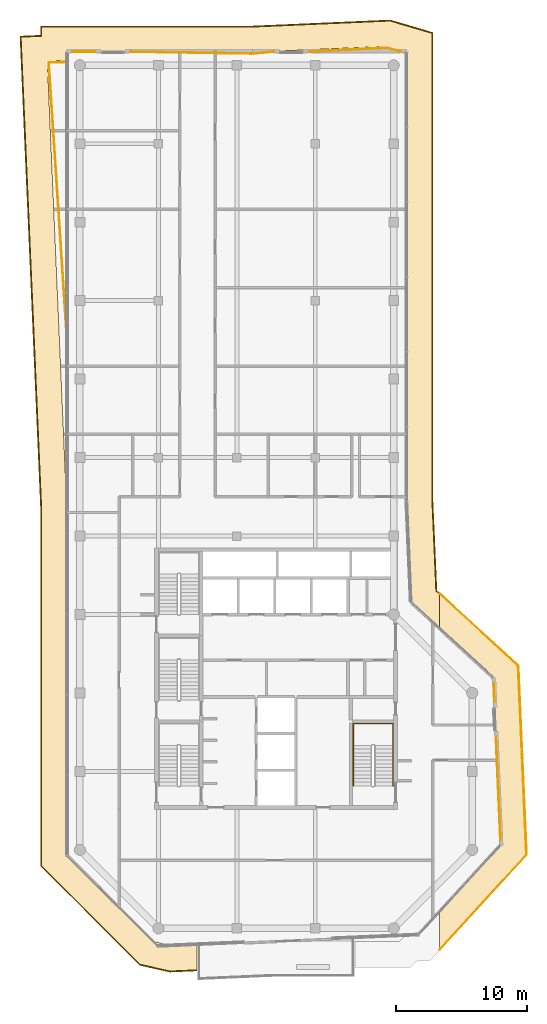
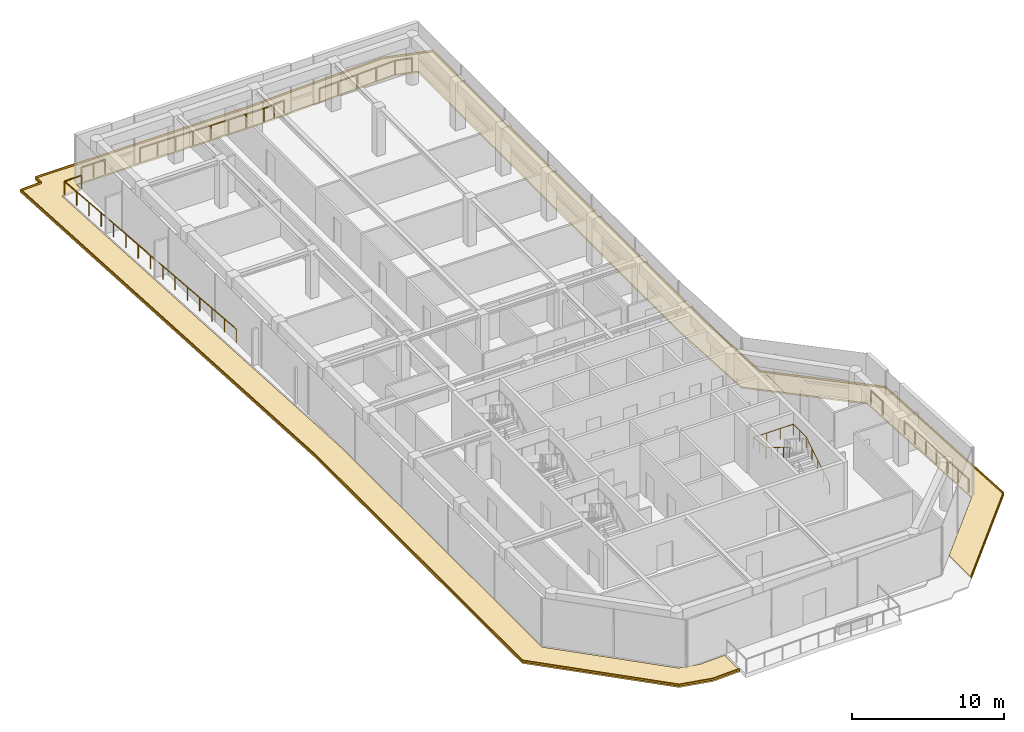
# One storey, part 20 of 20: 7 railings, 4 coverings.
"""IFC4 building model written with IfcOpenShell, lengths in metres."""

from ifc_helpers import new_model, si_unit, direction, frame, origin, origin_2d, place, context, subcontext, project, spatial, polyline, circle, outline, extrude, material, layer, layer_set, type_object, element, save


model = new_model("IFC4")

# Units and contexts
model_context = context("Model", 3, precision=1e-05, world=origin(), true_north=direction((0.0, 1.0)))
body_context = subcontext(model_context, "Body", "Model", "MODEL_VIEW")
ifc_project = project(units=[si_unit("LENGTHUNIT", "METRE"), si_unit("AREAUNIT", "SQUARE_METRE"), si_unit("VOLUMEUNIT", "CUBIC_METRE"), si_unit("PLANEANGLEUNIT", "RADIAN"), si_unit("MASSUNIT", "GRAM", prefix="KILO")], contexts=[model_context])

# Site, building, storey
site_placement = place(None, origin())
site = spatial("IfcSite", under=ifc_project, at=site_placement, CompositionType="ELEMENT")
building_placement = place(site_placement, origin())
building = spatial("IfcBuilding", under=site, at=building_placement, Name="Welwitschia Terrace Campus", CompositionType="ELEMENT")
storey_placement = place(building_placement, frame((0.0, 0.0, 297.800048828125)))
storey = spatial("IfcBuildingStorey", under=building, at=storey_placement, Name="L66", CompositionType="ELEMENT", Elevation=297.800048828125)

# Railings
ifc_material_1 = material(Name="Stainless steel grade 316", Category="steel")
railing_type_1 = type_object("IfcRailingType", Name="Guard 1100", PredefinedType="GUARDRAIL", material=ifc_material_1)
railing_1_placement = place(storey_placement, frame((-1.030029296875, 41.806396484375, 0.0)))
element("IfcRailing", 1, at=railing_1_placement, inside=storey, type_object=railing_type_1, Name="Guard floor edge L66.0", PredefinedType="GUARDRAIL", context=body_context, shape_type="SweptSolid", body=[
    extrude(circle(Radius=0.02392578125, at=origin_2d()), frame((0.0, 0.0, 1.076171875), z_axis=(-0.065584171401, 0.997847040614, 0.0), x_axis=(-0.997847040614, -0.065584171401, 0.0)), (0.0, 0.0, 1.0), 20.436767578125),
    extrude(circle(Radius=0.02392578125, at=origin_2d()), frame((-1.34033203125, 20.392822265625, 1.076171875), z_axis=(0.999575586947, 0.029131528946, 0.0), x_axis=(-0.029131528946, 0.999575586947, 0.0)), (0.0, 0.0, 1.0), 1.3408203125),
    extrude(circle(Radius=0.02099609375, at=origin_2d()), origin(), (0.0, 0.0, 1.0), 1.052001953125),
    extrude(circle(Radius=0.02099609375, at=origin_2d()), frame((-0.095703125, 1.45654296875, 0.0)), (0.0, 0.0, 1.0), 1.052001953125),
    extrude(circle(Radius=0.02099609375, at=origin_2d()), frame((-0.19140625, 2.913330078125, 0.0)), (0.0, 0.0, 1.0), 1.052001953125),
    extrude(circle(Radius=0.02099609375, at=origin_2d()), frame((-0.287109375, 4.369873046875, 0.0)), (0.0, 0.0, 1.0), 1.052001953125),
    extrude(circle(Radius=0.02099609375, at=origin_2d()), frame((-0.383056640625, 5.826416015625, 0.0)), (0.0, 0.0, 1.0), 1.052001953125),
    extrude(circle(Radius=0.02099609375, at=origin_2d()), frame((-0.478759765625, 7.283203125, 0.0)), (0.0, 0.0, 1.0), 1.052001953125),
    extrude(circle(Radius=0.02099609375, at=origin_2d()), frame((-0.574462890625, 8.73974609375, 0.0)), (0.0, 0.0, 1.0), 1.052001953125),
    extrude(circle(Radius=0.02099609375, at=origin_2d()), frame((-0.670166015625, 10.1962890625, 0.0)), (0.0, 0.0, 1.0), 1.052001953125),
    extrude(circle(Radius=0.02099609375, at=origin_2d()), frame((-0.765869140625, 11.653076171875, 0.0)), (0.0, 0.0, 1.0), 1.052001953125),
    extrude(circle(Radius=0.02099609375, at=origin_2d()), frame((-0.861572265625, 13.109619140625, 0.0)), (0.0, 0.0, 1.0), 1.052001953125),
    extrude(circle(Radius=0.02099609375, at=origin_2d()), frame((-0.957275390625, 14.56640625, 0.0)), (0.0, 0.0, 1.0), 1.052001953125),
    extrude(circle(Radius=0.02099609375, at=origin_2d()), frame((-1.05322265625, 16.02294921875, 0.0)), (0.0, 0.0, 1.0), 1.052001953125),
    extrude(circle(Radius=0.02099609375, at=origin_2d()), frame((-1.14892578125, 17.4794921875, 0.0)), (0.0, 0.0, 1.0), 1.052001953125),
    extrude(circle(Radius=0.02099609375, at=origin_2d()), frame((-1.24462890625, 18.936279296875, 0.0)), (0.0, 0.0, 1.0), 1.052001953125),
    extrude(circle(Radius=0.02099609375, at=origin_2d()), frame((-1.34033203125, 20.392822265625, 0.0)), (0.0, 0.0, 1.0), 1.052001953125),
    extrude(circle(Radius=0.02099609375, at=origin_2d()), frame((0.0, 20.431884765625, 0.0)), (0.0, 0.0, 1.0), 1.052001953125),
])
railing_2_placement = place(storey_placement, frame((-0.580078125, 63.030029296875, 0.0)))
element("IfcRailing", 2, at=railing_2_placement, inside=storey, type_object=railing_type_1, Name="Guard floor edge L66.1", PredefinedType="GUARDRAIL", context=body_context, shape_type="SweptSolid", body=[
    extrude(circle(Radius=0.02392578125, at=origin_2d()), frame((0.0, 0.0, 1.076171875), z_axis=(1.0, 0.0, 0.0), x_axis=(0.0, 1.0, 0.0)), (0.0, 0.0, 1.0), 1.7880859375),
    extrude(circle(Radius=0.02099609375, at=origin_2d()), origin(), (0.0, 0.0, 1.0), 1.052001953125),
    extrude(circle(Radius=0.02099609375, at=origin_2d()), frame((0.89404296875, 0.0, 0.0)), (0.0, 0.0, 1.0), 1.052001953125),
    extrude(circle(Radius=0.02099609375, at=origin_2d()), frame((1.7880859375, 0.0, 0.0)), (0.0, 0.0, 1.0), 1.052001953125),
])
railing_3_placement = place(storey_placement, frame((3.85546875, 63.030029296875, 0.0)))
element("IfcRailing", 3, at=railing_3_placement, inside=storey, type_object=railing_type_1, Name="Guard floor edge L66.2", PredefinedType="GUARDRAIL", context=body_context, shape_type="SweptSolid", body=[
    extrude(circle(Radius=0.02392578125, at=origin_2d()), frame((0.0, 0.0, 1.076171875), z_axis=(0.999871500344, -0.016030683092, 0.0), x_axis=(0.016030683092, 0.999871500344, 0.0)), (0.0, 0.0, 1.0), 9.3662109375),
    extrude(circle(Radius=0.02392578125, at=origin_2d()), frame((9.364990234375, -0.150146484375, 1.076171875), z_axis=(0.995720334942, 0.092417609699, 0.0), x_axis=(-0.092417609699, 0.995720334942, 0.0)), (0.0, 0.0, 1.0), 1.614013671875),
    extrude(circle(Radius=0.02099609375, at=origin_2d()), origin(), (0.0, 0.0, 1.0), 1.052001953125),
    extrude(circle(Radius=0.02099609375, at=origin_2d()), frame((1.337890625, -0.021484375, 0.0)), (0.0, 0.0, 1.0), 1.052001953125),
    extrude(circle(Radius=0.02099609375, at=origin_2d()), frame((2.67578125, -0.04296875, 0.0)), (0.0, 0.0, 1.0), 1.052001953125),
    extrude(circle(Radius=0.02099609375, at=origin_2d()), frame((4.013671875, -0.064453125, 0.0)), (0.0, 0.0, 1.0), 1.052001953125),
    extrude(circle(Radius=0.02099609375, at=origin_2d()), frame((5.351318359375, -0.085693359375, 0.0)), (0.0, 0.0, 1.0), 1.052001953125),
    extrude(circle(Radius=0.02099609375, at=origin_2d()), frame((6.689208984375, -0.107177734375, 0.0)), (0.0, 0.0, 1.0), 1.052001953125),
    extrude(circle(Radius=0.02099609375, at=origin_2d()), frame((8.027099609375, -0.128662109375, 0.0)), (0.0, 0.0, 1.0), 1.052001953125),
    extrude(circle(Radius=0.02099609375, at=origin_2d()), frame((9.364990234375, -0.150146484375, 0.0)), (0.0, 0.0, 1.0), 1.052001953125),
    extrude(circle(Radius=0.02099609375, at=origin_2d()), frame((10.16845703125, -0.07568359375, 0.0)), (0.0, 0.0, 1.0), 1.052001953125),
    extrude(circle(Radius=0.02099609375, at=origin_2d()), frame((10.97216796875, -0.0009765625, 0.0)), (0.0, 0.0, 1.0), 1.052001953125),
])
railing_4_placement = place(storey_placement, frame((17.518310546875, 63.027099609375, 0.0)))
element("IfcRailing", 4, at=railing_4_placement, inside=storey, type_object=railing_type_1, Name="Guard floor edge L66.3", PredefinedType="GUARDRAIL", context=body_context, shape_type="SweptSolid", body=[
    extrude(circle(Radius=0.02392578125, at=origin_2d()), frame((0.0, 0.0, 1.076171875), z_axis=(0.9987274719, 0.050432498171, 0.0), x_axis=(-0.050432498171, 0.9987274719, 0.0)), (0.0, 0.0, 1.0), 5.954345703125),
    extrude(circle(Radius=0.02392578125, at=origin_2d()), frame((5.94677734375, 0.30029296875, 1.076171875), z_axis=(0.964632095565, -0.263599924516, 0.0), x_axis=(0.263599924516, 0.964632095565, 0.0)), (0.0, 0.0, 1.0), 1.15576171875),
    extrude(circle(Radius=0.02099609375, at=origin_2d()), origin(), (0.0, 0.0, 1.0), 1.052001953125),
    extrude(circle(Radius=0.02099609375, at=origin_2d()), frame((1.48681640625, 0.0751953125, 0.0)), (0.0, 0.0, 1.0), 1.052001953125),
    extrude(circle(Radius=0.02099609375, at=origin_2d()), frame((2.973388671875, 0.150146484375, 0.0)), (0.0, 0.0, 1.0), 1.052001953125),
    extrude(circle(Radius=0.02099609375, at=origin_2d()), frame((4.4599609375, 0.22509765625, 0.0)), (0.0, 0.0, 1.0), 1.052001953125),
    extrude(circle(Radius=0.02099609375, at=origin_2d()), frame((5.94677734375, 0.30029296875, 0.0)), (0.0, 0.0, 1.0), 1.052001953125),
    extrude(circle(Radius=0.02099609375, at=origin_2d()), frame((7.061767578125, -0.00439453125, 0.0)), (0.0, 0.0, 1.0), 1.052001953125),
])
railing_5_placement = place(storey_placement, frame((31.64111328125, 14.760498046875, 0.0)))
element("IfcRailing", 5, at=railing_5_placement, inside=storey, type_object=railing_type_1, Name="Guard floor edge L66.4", PredefinedType="GUARDRAIL", context=body_context, shape_type="SweptSolid", body=[
    extrude(circle(Radius=0.02392578125, at=origin_2d()), frame((0.0, 0.0, 1.076171875), z_axis=(0.043639613643, -0.999047338278, 0.0), x_axis=(0.999047338278, 0.043639613643, 0.0)), (0.0, 0.0, 1.0), 1.4658203125),
    extrude(circle(Radius=0.02099609375, at=origin_2d()), origin(), (0.0, 0.0, 1.0), 1.052001953125),
    extrude(circle(Radius=0.02099609375, at=origin_2d()), frame((0.06396484375, -1.46435546875, 0.0)), (0.0, 0.0, 1.0), 1.052001953125),
])
railing_6_placement = place(storey_placement, frame((31.82080078125, 10.651123046875, 0.0)))
element("IfcRailing", 6, at=railing_6_placement, inside=storey, type_object=railing_type_1, Name="Guard floor edge L66.5", PredefinedType="GUARDRAIL", context=body_context, shape_type="SweptSolid", body=[
    extrude(circle(Radius=0.02392578125, at=origin_2d()), frame((0.0, 0.0, 1.076171875), z_axis=(0.043584886083, -0.999049727343, 0.0), x_axis=(0.999049727343, 0.043584886083, 0.0)), (0.0, 0.0, 1.0), 7.892578125),
    extrude(circle(Radius=0.02099609375, at=origin_2d()), origin(), (0.0, 0.0, 1.0), 1.052001953125),
    extrude(circle(Radius=0.02099609375, at=origin_2d()), frame((0.057373046875, -1.314208984375, 0.0)), (0.0, 0.0, 1.0), 1.052001953125),
    extrude(circle(Radius=0.02099609375, at=origin_2d()), frame((0.11474609375, -2.62841796875, 0.0)), (0.0, 0.0, 1.0), 1.052001953125),
    extrude(circle(Radius=0.02099609375, at=origin_2d()), frame((0.171875, -3.9423828125, 0.0)), (0.0, 0.0, 1.0), 1.052001953125),
    extrude(circle(Radius=0.02099609375, at=origin_2d()), frame((0.229248046875, -5.256591796875, 0.0)), (0.0, 0.0, 1.0), 1.052001953125),
    extrude(circle(Radius=0.02099609375, at=origin_2d()), frame((0.28662109375, -6.57080078125, 0.0)), (0.0, 0.0, 1.0), 1.052001953125),
    extrude(circle(Radius=0.02099609375, at=origin_2d()), frame((0.343994140625, -7.885009765625, 0.0)), (0.0, 0.0, 1.0), 1.052001953125),
])
ifc_material_2 = material(Name="Steel S355", Category="steel")
railing_type_2 = type_object("IfcRailingType", Name="Stair handrail 900", PredefinedType="HANDRAIL", material=ifc_material_2)
railing_7_placement = place(storey_placement, frame((23.949951171875, 6.89990234375, 0.175048828125)))
element("IfcRailing", 7, at=railing_7_placement, inside=storey, type_object=railing_type_2, Name="L66 S2 stair handrail", PredefinedType="HANDRAIL", context=body_context, shape_type="SweptSolid", body=[
    extrude(circle(Radius=0.02392578125, at=origin_2d()), frame((0.0, 0.0, 0.8759765625), z_axis=(0.0, 0.848028513186, 0.529950602248), x_axis=(-1.0, 0.0, 0.0)), (0.0, 0.0, 1.0), 3.632080078125),
    extrude(circle(Radius=0.02392578125, at=origin_2d()), frame((0.0, 3.080078125, 2.80078125), z_axis=(0.0, 1.0, 0.0), x_axis=(-1.0, 0.0, 0.0)), (0.0, 0.0, 1.0), 1.669921875),
    extrude(circle(Radius=0.02392578125, at=origin_2d()), frame((0.0, 4.75, 2.80078125), z_axis=(-1.0, 0.0, 0.0), x_axis=(0.0, -1.0, 0.0)), (0.0, 0.0, 1.0), 3.050048828125),
    extrude(circle(Radius=0.02392578125, at=origin_2d()), frame((-3.050048828125, 4.75, 2.80078125), z_axis=(0.0, -0.99455077262, 0.104253348533), x_axis=(1.0, 0.0, 0.0)), (0.0, 0.0, 1.0), 1.678955078125),
    extrude(circle(Radius=0.02392578125, at=origin_2d()), frame((-3.050048828125, 3.080078125, 2.9755859375), z_axis=(0.0, -0.847998304005, 0.529998940003), x_axis=(1.0, 0.0, 0.0)), (0.0, 0.0, 1.0), 3.632080078125),
    extrude(circle(Radius=0.02099609375, at=origin_2d()), origin(), (0.0, 0.0, 1.0), 0.851806640625),
    extrude(circle(Radius=0.02099609375, at=origin_2d()), frame((0.0, 0.77001953125, 0.481201171875)), (0.0, 0.0, 1.0), 0.851806640625),
    extrude(circle(Radius=0.02099609375, at=origin_2d()), frame((0.0, 1.5400390625, 0.96240234375)), (0.0, 0.0, 1.0), 0.851806640625),
    extrude(circle(Radius=0.02099609375, at=origin_2d()), frame((0.0, 2.31005859375, 1.443603515625)), (0.0, 0.0, 1.0), 0.851806640625),
    extrude(circle(Radius=0.02099609375, at=origin_2d()), frame((0.0, 3.080078125, 1.9248046875)), (0.0, 0.0, 1.0), 0.851806640625),
    extrude(circle(Radius=0.02099609375, at=origin_2d()), frame((0.0, 3.9150390625, 1.9248046875)), (0.0, 0.0, 1.0), 0.851806640625),
    extrude(circle(Radius=0.02099609375, at=origin_2d()), frame((0.0, 4.75, 1.9248046875)), (0.0, 0.0, 1.0), 0.851806640625),
    extrude(circle(Radius=0.02099609375, at=origin_2d()), frame((-1.0166015625, 4.75, 1.9248046875)), (0.0, 0.0, 1.0), 0.851806640625),
    extrude(circle(Radius=0.02099609375, at=origin_2d()), frame((-2.033447265625, 4.75, 1.9248046875)), (0.0, 0.0, 1.0), 0.851806640625),
    extrude(circle(Radius=0.02099609375, at=origin_2d()), frame((-3.050048828125, 4.75, 1.9248046875)), (0.0, 0.0, 1.0), 0.851806640625),
    extrude(circle(Radius=0.02099609375, at=origin_2d()), frame((-3.050048828125, 3.9150390625, 2.01220703125)), (0.0, 0.0, 1.0), 0.851806640625),
    extrude(circle(Radius=0.02099609375, at=origin_2d()), frame((-3.050048828125, 3.080078125, 2.099853515625)), (0.0, 0.0, 1.0), 0.851806640625),
    extrude(circle(Radius=0.02099609375, at=origin_2d()), frame((-3.050048828125, 2.31005859375, 2.5810546875)), (0.0, 0.0, 1.0), 0.851806640625),
    extrude(circle(Radius=0.02099609375, at=origin_2d()), frame((-3.050048828125, 1.5400390625, 3.0625)), (0.0, 0.0, 1.0), 0.851806640625),
    extrude(circle(Radius=0.02099609375, at=origin_2d()), frame((-3.050048828125, 0.77001953125, 3.543701171875)), (0.0, 0.0, 1.0), 0.851806640625),
    extrude(circle(Radius=0.02099609375, at=origin_2d()), frame((-3.050048828125, 0.0, 4.02490234375)), (0.0, 0.0, 1.0), 0.851806640625),
])

# Coverings
ifc_material_3 = material(Name="Bronze anodised aluminium", Category="aluminium")
ifc_layer_1 = layer(ifc_material_3, 0.1201171875)
ifc_layer_set_1 = layer_set([ifc_layer_1], Name="Bronze anodised aluminium")
covering_type_1 = type_object("IfcCoveringType", Name="Sunshade band 2000", PredefinedType="USERDEFINED", material=ifc_layer_set_1)
covering_1_placement = place(storey_placement, frame((0.0, 0.0, -0.25)))
element("IfcCovering", 8, at=covering_1_placement, inside=storey, type_object=covering_type_1, Name="SUNSHADE L66.SW0", ObjectType="SUNSHADE", PredefinedType="USERDEFINED", context=body_context, shape_type="SweptSolid", body=[
    extrude(outline(polyline([(-3.0, 65.0), (13.174072265625, 65.0), (23.7255859375, 65.460693359375), (27.0, 64.49560546875), (27.0, 28.67236328125), (27.29931640625, 21.817626953125), (27.50439453125, 21.629638671875), (27.50439453125, 18.9169921875), (25.33740234375, 20.90283203125), (25.0, 28.628662109375), (25.0, 63.0), (23.479736328125, 63.447998046875), (13.2177734375, 63.0), (-1.0, 63.0), (-1.0, 62.379150390625), (-2.49560546875, 62.31396484375), (-1.0, 28.061279296875), (-1.0, 1.585693359375), (5.585693359375, -5.0), (7.050048828125, -5.333984375), (8.949951171875, -5.251220703125), (8.949951171875, -7.2529296875), (6.8681640625, -7.343994140625), (4.5791015625, -6.82177734375), (-3.0, 0.75732421875), (-3.0, 28.017578125), (-4.580810546875, 64.224853515625), (-3.0, 64.293701171875), (-3.0, 65.0)])), origin(), (0.0, 0.0, 1.0), 0.119873046875),
])
covering_2_placement = place(storey_placement, frame((0.0, 0.0, -0.25)))
element("IfcCovering", 9, at=covering_2_placement, inside=storey, type_object=covering_type_1, Name="SUNSHADE L66.SE0", ObjectType="SUNSHADE", PredefinedType="USERDEFINED", context=body_context, shape_type="SweptSolid", body=[
    extrude(outline(polyline([(33.555419921875, 16.085205078125), (34.18701171875, 1.613525390625), (27.50439453125, -5.67919921875), (27.50439453125, -2.71875), (32.15283203125, 2.35400390625), (31.59326171875, 15.170166015625), (27.50439453125, 18.9169921875), (27.50439453125, 21.629638671875), (33.555419921875, 16.085205078125)])), origin(), (0.0, 0.0, 1.0), 0.119873046875),
])
ifc_material_4 = material(Name="Bronze anodised aluminium", Category="aluminium")
ifc_layer_2 = layer(ifc_material_4, 0.06005859375)
ifc_layer_set_2 = layer_set([ifc_layer_2], Name="Bronze anodised aluminium")
covering_type_2 = type_object("IfcCoveringType", Name="Sunshade lip 60", PredefinedType="USERDEFINED", material=ifc_layer_set_2)
covering_3_placement = place(storey_placement, frame((0.0, 0.0, -0.130126953125)))
element("IfcCovering", 10, at=covering_3_placement, inside=storey, type_object=covering_type_2, Name="SUNSHADE LIP L66.SW0.0", ObjectType="SUNSHADE", PredefinedType="USERDEFINED", context=body_context, shape_type="SweptSolid", body=[
    extrude(outline(polyline([(13.174072265625, 65.0), (23.7255859375, 65.460693359375), (27.0, 64.49560546875), (27.0, 28.67236328125), (27.29931640625, 21.817626953125), (27.50439453125, 21.629638671875), (27.50439453125, 21.548095703125), (27.240478515625, 21.790283203125), (26.93994140625, 28.6708984375), (26.93994140625, 64.45068359375), (23.718017578125, 65.400390625), (13.17529296875, 64.93994140625), (-2.93994140625, 64.93994140625), (-2.93994140625, 64.236328125), (-4.518310546875, 64.16748046875), (-2.93994140625, 28.01904296875), (-2.93994140625, 0.7822265625), (4.609375, -6.76708984375), (6.87353515625, -7.28369140625), (8.949951171875, -7.193115234375), (8.949951171875, -7.2529296875), (6.8681640625, -7.343994140625), (4.5791015625, -6.82177734375), (-3.0, 0.75732421875), (-3.0, 28.017578125), (-4.580810546875, 64.224853515625), (-3.0, 64.293701171875), (-3.0, 65.0), (13.174072265625, 65.0)])), origin(), (0.0, 0.0, 1.0), 0.130126953125),
])
covering_4_placement = place(storey_placement, frame((0.0, 0.0, -0.130126953125)))
element("IfcCovering", 11, at=covering_4_placement, inside=storey, type_object=covering_type_2, Name="SUNSHADE LIP L66.SE0.0", ObjectType="SUNSHADE", PredefinedType="USERDEFINED", context=body_context, shape_type="SweptSolid", body=[
    extrude(outline(polyline([(34.18701171875, 1.613525390625), (27.50439453125, -5.67919921875), (27.50439453125, -5.59033203125), (34.126220703125, 1.6357421875), (33.496337890625, 16.0576171875), (27.50439453125, 21.548095703125), (27.50439453125, 21.629638671875), (33.555419921875, 16.085205078125), (34.18701171875, 1.613525390625)])), origin(), (0.0, 0.0, 1.0), 0.130126953125),
])

save(model, "model.ifc")
